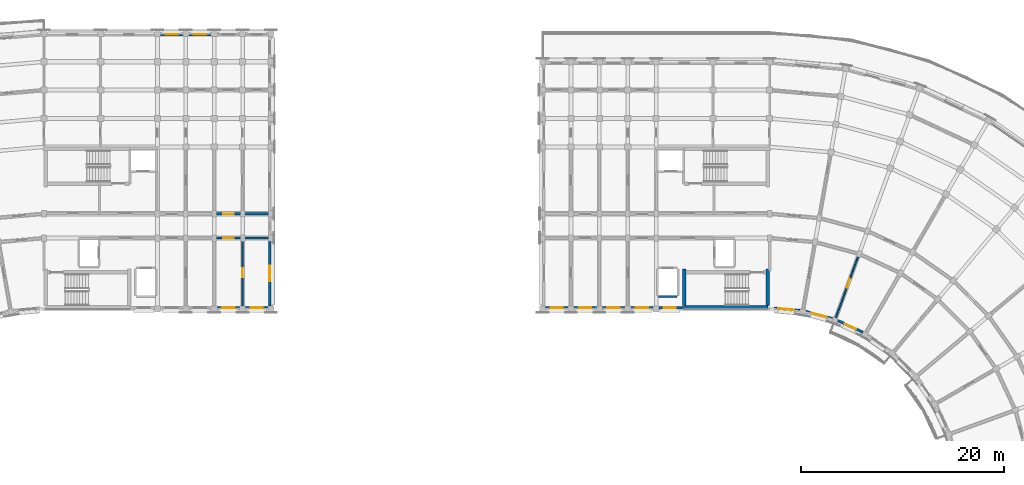
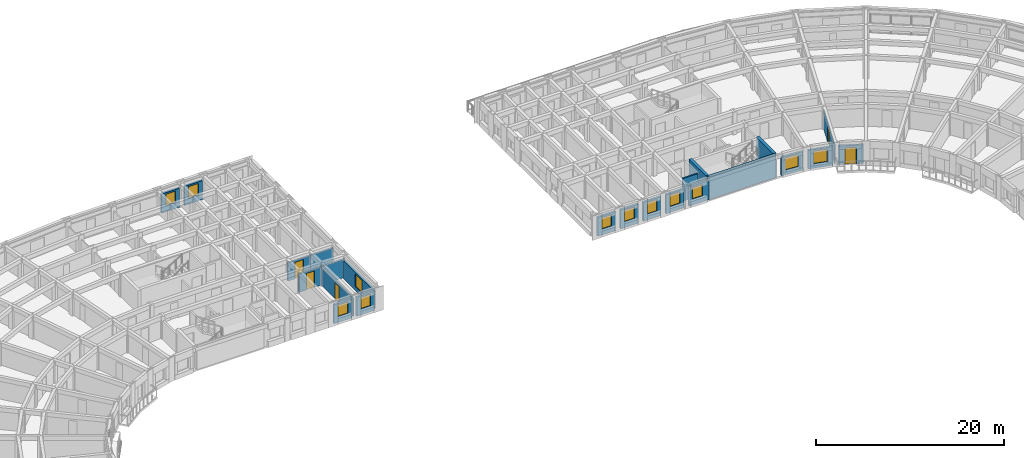
# One storey, part 27 of 53: 23 walls, 12 windows, 5 doors, 17 openings.
"""IFC4 building model written with IfcOpenShell, lengths in metres."""

from ifc_helpers import new_model, si_unit, direction, frame, frame_2d, origin, place, context, subcontext, project, spatial, rectangle, extrude, material, layer, layer_set, type_object, element, fill, save


model = new_model("IFC4")

# Units and contexts
model_context = context("Model", 3, precision=1e-05, world=origin(), true_north=direction((0.0, 1.0)))
body_context = subcontext(model_context, "Body", "Model", "MODEL_VIEW")
ifc_project = project(units=[si_unit("LENGTHUNIT", "METRE"), si_unit("AREAUNIT", "SQUARE_METRE"), si_unit("VOLUMEUNIT", "CUBIC_METRE"), si_unit("PLANEANGLEUNIT", "RADIAN"), si_unit("MASSUNIT", "GRAM", prefix="KILO")], contexts=[model_context])

# Site, building, storey
site_placement = place(None, origin())
site = spatial("IfcSite", under=ifc_project, at=site_placement, CompositionType="ELEMENT")
building_placement = place(site_placement, origin())
building = spatial("IfcBuilding", under=site, at=building_placement, Name="Kiranvali Square Residences", CompositionType="ELEMENT")
storey_placement = place(building_placement, frame((0.0, 0.0, 30.75)))
storey = spatial("IfcBuildingStorey", under=building, at=storey_placement, Name="L09", CompositionType="ELEMENT", Elevation=30.75)

# Wall, opening, door
ifc_material_1 = material(Name="Autoclaved aerated concrete blockwork masonry", Category="masonry")
ifc_layer_1 = layer(ifc_material_1, 0.199951171875)
ifc_layer_set_1 = layer_set([ifc_layer_1], Name="Autoclaved aerated concrete blockwork masonry")
wall_type_1 = type_object("IfcWallType", Name="WL-COR-200", PredefinedType="STANDARD", material=ifc_layer_set_1)
wall_1_placement = place(storey_placement, frame((65.0, 113.60009765625, 0.0), z_axis=(0.0, 0.0, 1.0), x_axis=(1.0, 0.0, 0.0)))
wall_1 = element("IfcWall", 1, at=wall_1_placement, inside=storey, type_object=wall_type_1, Name="L09 architectural wall WL-L09-A-A1CI-2", PredefinedType="STANDARD", context=body_context, shape_type="SweptSolid", body=[
    extrude(rectangle(XDim=2.800048828125, YDim=0.199951171875, at=frame_2d((1.39990234375, 0.0))), origin(), (0.0, 0.0, 1.0), 2.3720703125),
])
opening_1_placement = place(wall_1_placement, frame((0.89990234375, 0.0, 0.0)))
opening_1 = element("IfcOpeningElement", 2, at=opening_1_placement, cuts=wall_1, Name="Opening FD-APT-60", PredefinedType="OPENING", context=body_context, shape_type="SweptSolid", body=[
    extrude(rectangle(XDim=1.0, YDim=2.14990234375, at=frame_2d((0.5, 1.074951171875))), frame((0.0, 0.10986328125, 0.0), z_axis=(0.0, -1.0, 0.0), x_axis=(1.0, 0.0, 0.0)), (0.0, 0.0, 1.0), 0.219970703125),
])
ifc_material_2 = material(Name="Fire-rated acoustic hardwood and mineral-core door assembly", Category="wood")
door_type_1 = type_object("IfcDoorType", Name="DR-APT-1000", OperationType="NOTDEFINED", PredefinedType="DOOR", material=ifc_material_2)
door_1_placement = place(opening_1_placement, frame((1.0, 0.0, 0.0), z_axis=(0.0, 0.0, 1.0), x_axis=(-1.0, 0.0, 0.0)))
door_1 = element("IfcDoor", 3, at=door_1_placement, inside=storey, type_object=door_type_1, Name="L09 door DR-L09-0584 (DR-APT-1000)", OperationType="SINGLE_SWING_RIGHT", OverallHeight=2.14990234375, OverallWidth=1.0, PredefinedType="DOOR", context=body_context, shape_type="SweptSolid", body=[
    extrude(rectangle(XDim=1.0, YDim=2.14990234375, at=frame_2d((0.5, 1.074951171875))), frame((0.0, 0.02490234375, 0.0), z_axis=(0.0, -1.0, 0.0), x_axis=(1.0, 0.0, 0.0)), (0.0, 0.0, 1.0), 0.050048828125),
])
fill(opening_1, door_1)

wall_2_placement = place(storey_placement, frame((65.0, 116.0, 0.0), z_axis=(0.0, 0.0, 1.0), x_axis=(1.0, 0.0, 0.0)))
wall_2 = element("IfcWall", 4, at=wall_2_placement, inside=storey, type_object=wall_type_1, Name="L09 architectural wall WL-L09-A-A1CO-2", PredefinedType="STANDARD", context=body_context, shape_type="SweptSolid", body=[
    extrude(rectangle(XDim=2.800048828125, YDim=0.199951171875, at=frame_2d((1.39990234375, 0.0))), origin(), (0.0, 0.0, 1.0), 2.3720703125),
])
opening_2_placement = place(wall_2_placement, frame((0.89990234375, 0.0, 0.0)))
opening_2 = element("IfcOpeningElement", 5, at=opening_2_placement, cuts=wall_2, Name="Opening FD-APT-60", PredefinedType="OPENING", context=body_context, shape_type="SweptSolid", body=[
    extrude(rectangle(XDim=1.0, YDim=2.14990234375, at=frame_2d((0.5, 1.074951171875))), frame((0.0, 0.10986328125, 0.0), z_axis=(0.0, -1.0, 0.0), x_axis=(1.0, 0.0, 0.0)), (0.0, 0.0, 1.0), 0.219970703125),
])
door_2_placement = place(opening_2_placement, frame((1.0, 0.0, 0.0), z_axis=(0.0, 0.0, 1.0), x_axis=(-1.0, 0.0, 0.0)))
door_2 = element("IfcDoor", 6, at=door_2_placement, inside=storey, type_object=door_type_1, Name="L09 door DR-L09-0586 (DR-APT-1000)", OperationType="SINGLE_SWING_RIGHT", OverallHeight=2.14990234375, OverallWidth=1.0, PredefinedType="DOOR", context=body_context, shape_type="SweptSolid", body=[
    extrude(rectangle(XDim=1.0, YDim=2.14990234375, at=frame_2d((0.5, 1.074951171875))), frame((0.0, 0.02490234375, 0.0), z_axis=(0.0, -1.0, 0.0), x_axis=(1.0, 0.0, 0.0)), (0.0, 0.0, 1.0), 0.050048828125),
])
fill(opening_2, door_2)

# Walls
for number, where, z_axis, x_axis, name in (
    (7, (67.800048828125, 113.60009765625, 0.0), (0.0, 0.0, 1.0), (1.0, 0.0, 0.0), "L09 architectural wall WL-L09-A-A1CI-3"),
    (8, (67.800048828125, 116.0, 0.0), (0.0, 0.0, 1.0), (1.0, 0.0, 0.0), "L09 architectural wall WL-L09-A-A1CO-3"),
):
    element("IfcWall", number, at=place(storey_placement, frame(where, z_axis=z_axis, x_axis=x_axis)), inside=storey, type_object=wall_type_1, Name=name, PredefinedType="STANDARD", context=body_context, shape_type="SweptSolid", body=[
        extrude(rectangle(XDim=2.800048828125, YDim=0.199951171875, at=frame_2d((1.39990234375, 0.0))), origin(), (0.0, 0.0, 1.0), 2.3720703125),
    ])

# Wall, opening, window
ifc_material_3 = material(Name="Breathable lime-rendered clay brick masonry", Category="masonry")
ifc_layer_2 = layer(ifc_material_3, 0.25)
ifc_layer_set_2 = layer_set([ifc_layer_2], Name="Breathable lime-rendered clay brick masonry")
wall_type_2 = type_object("IfcWallType", Name="WL-EXT-250", PredefinedType="STANDARD", material=ifc_layer_set_2)
wall_3_placement = place(storey_placement, frame((59.70361328125, 133.675048828125, 0.0), z_axis=(0.0, 0.0, 1.0), x_axis=(1.0, 0.0, 0.0)))
wall_3 = element("IfcWall", 9, at=wall_3_placement, inside=storey, type_object=wall_type_2, Name="L09 exterior wall A-L09-A1O-2", PredefinedType="STANDARD", context=body_context, shape_type="SweptSolid", body=[
    extrude(rectangle(XDim=2.19287109375, YDim=0.25, at=frame_2d((1.096435546875, 0.0))), origin(), (0.0, 0.0, 1.0), 2.471923828125),
])
opening_3_placement = place(wall_3_placement, frame((0.49658203125, 0.0, 0.77197265625)))
opening_3 = element("IfcOpeningElement", 10, at=opening_3_placement, cuts=wall_3, Name="Opening W-06", PredefinedType="OPENING", context=body_context, shape_type="SweptSolid", body=[
    extrude(rectangle(XDim=1.199951171875, YDim=1.5, at=frame_2d((0.60009765625, 0.75))), frame((0.0, 0.135009765625, 0.0), z_axis=(0.0, -1.0, 0.0), x_axis=(1.0, 0.0, 0.0)), (0.0, 0.0, 1.0), 0.27001953125),
])
ifc_material_4 = material(Name="Solar-control low-e double glazing", Category="glass")
window_type_1 = type_object("IfcWindowType", Name="WIN-RES-1200x1500", PartitioningType="SINGLE_PANEL", PredefinedType="WINDOW", material=ifc_material_4)
window_1_placement = place(opening_3_placement, origin())
window_1 = element("IfcWindow", 11, at=window_1_placement, inside=storey, type_object=window_type_1, Name="L09 recessed window A-L09-A1O-2", OverallHeight=1.5, OverallWidth=1.199951171875, PartitioningType="SINGLE_PANEL", PredefinedType="WINDOW", context=body_context, shape_type="SweptSolid", body=[
    extrude(rectangle(XDim=1.199951171875, YDim=1.5, at=frame_2d((0.60009765625, 0.75))), frame((0.0, 0.030029296875, 0.0), z_axis=(0.0, -1.0, 0.0), x_axis=(1.0, 0.0, 0.0)), (0.0, 0.0, 1.0), 0.06005859375),
])
fill(opening_3, window_1)

wall_4_placement = place(storey_placement, frame((62.50341796875, 133.675048828125, 0.0), z_axis=(0.0, 0.0, 1.0), x_axis=(1.0, 0.0, 0.0)))
wall_4 = element("IfcWall", 12, at=wall_4_placement, inside=storey, type_object=wall_type_2, Name="L09 exterior wall A-L09-A1O-3", PredefinedType="STANDARD", context=body_context, shape_type="SweptSolid", body=[
    extrude(rectangle(XDim=2.193115234375, YDim=0.25, at=frame_2d((1.0966796875, 0.0))), origin(), (0.0, 0.0, 1.0), 2.471923828125),
])
opening_4_placement = place(wall_4_placement, frame((0.49658203125, 0.0, 0.77197265625)))
opening_4 = element("IfcOpeningElement", 13, at=opening_4_placement, cuts=wall_4, Name="Opening W-06", PredefinedType="OPENING", context=body_context, shape_type="SweptSolid", body=[
    extrude(rectangle(XDim=1.199951171875, YDim=1.5, at=frame_2d((0.60009765625, 0.75))), frame((0.0, 0.135009765625, 0.0), z_axis=(0.0, -1.0, 0.0), x_axis=(1.0, 0.0, 0.0)), (0.0, 0.0, 1.0), 0.27001953125),
])
window_2_placement = place(opening_4_placement, origin())
window_2 = element("IfcWindow", 14, at=window_2_placement, inside=storey, type_object=window_type_1, Name="L09 recessed window A-L09-A1O-3", OverallHeight=1.5, OverallWidth=1.199951171875, PartitioningType="SINGLE_PANEL", PredefinedType="WINDOW", context=body_context, shape_type="SweptSolid", body=[
    extrude(rectangle(XDim=1.199951171875, YDim=1.5, at=frame_2d((0.60009765625, 0.75))), frame((0.0, 0.030029296875, 0.0), z_axis=(0.0, -1.0, 0.0), x_axis=(1.0, 0.0, 0.0)), (0.0, 0.0, 1.0), 0.06005859375),
])
fill(opening_4, window_2)

wall_5_placement = place(storey_placement, frame((65.303466796875, 106.72509765625, 0.0), z_axis=(0.0, 0.0, 1.0), x_axis=(1.0, 0.0, 0.0)))
wall_5 = element("IfcWall", 15, at=wall_5_placement, inside=storey, type_object=wall_type_2, Name="L09 exterior wall A-L09-A1I-2", PredefinedType="STANDARD", context=body_context, shape_type="SweptSolid", body=[
    extrude(rectangle(XDim=2.193115234375, YDim=0.25, at=frame_2d((1.0966796875, 0.0))), origin(), (0.0, 0.0, 1.0), 2.471923828125),
])
opening_5_placement = place(wall_5_placement, frame((0.49658203125, 0.0, 0.77197265625)))
opening_5 = element("IfcOpeningElement", 16, at=opening_5_placement, cuts=wall_5, Name="Opening W-06", PredefinedType="OPENING", context=body_context, shape_type="SweptSolid", body=[
    extrude(rectangle(XDim=1.199951171875, YDim=1.5, at=frame_2d((0.60009765625, 0.75))), frame((0.0, 0.135009765625, 0.0), z_axis=(0.0, -1.0, 0.0), x_axis=(1.0, 0.0, 0.0)), (0.0, 0.0, 1.0), 0.27001953125),
])
window_3_placement = place(opening_5_placement, origin())
window_3 = element("IfcWindow", 17, at=window_3_placement, inside=storey, type_object=window_type_1, Name="L09 recessed window A-L09-A1I-2", OverallHeight=1.5, OverallWidth=1.199951171875, PartitioningType="SINGLE_PANEL", PredefinedType="WINDOW", context=body_context, shape_type="SweptSolid", body=[
    extrude(rectangle(XDim=1.199951171875, YDim=1.5, at=frame_2d((0.60009765625, 0.75))), frame((0.0, 0.030029296875, 0.0), z_axis=(0.0, -1.0, 0.0), x_axis=(1.0, 0.0, 0.0)), (0.0, 0.0, 1.0), 0.06005859375),
])
fill(opening_5, window_3)

wall_6_placement = place(storey_placement, frame((68.103515625, 106.72509765625, 0.0), z_axis=(0.0, 0.0, 1.0), x_axis=(1.0, 0.0, 0.0)))
wall_6 = element("IfcWall", 18, at=wall_6_placement, inside=storey, type_object=wall_type_2, Name="L09 exterior wall A-L09-A1I-3", PredefinedType="STANDARD", context=body_context, shape_type="SweptSolid", body=[
    extrude(rectangle(XDim=2.19287109375, YDim=0.25, at=frame_2d((1.096435546875, 0.0))), origin(), (0.0, 0.0, 1.0), 2.471923828125),
])
opening_6_placement = place(wall_6_placement, frame((0.49658203125, 0.0, 0.77197265625)))
opening_6 = element("IfcOpeningElement", 19, at=opening_6_placement, cuts=wall_6, Name="Opening W-06", PredefinedType="OPENING", context=body_context, shape_type="SweptSolid", body=[
    extrude(rectangle(XDim=1.199951171875, YDim=1.5, at=frame_2d((0.60009765625, 0.75))), frame((0.0, 0.135009765625, 0.0), z_axis=(0.0, -1.0, 0.0), x_axis=(1.0, 0.0, 0.0)), (0.0, 0.0, 1.0), 0.27001953125),
])
window_4_placement = place(opening_6_placement, origin())
window_4 = element("IfcWindow", 20, at=window_4_placement, inside=storey, type_object=window_type_1, Name="L09 recessed window A-L09-A1I-3", OverallHeight=1.5, OverallWidth=1.199951171875, PartitioningType="SINGLE_PANEL", PredefinedType="WINDOW", context=body_context, shape_type="SweptSolid", body=[
    extrude(rectangle(XDim=1.199951171875, YDim=1.5, at=frame_2d((0.60009765625, 0.75))), frame((0.0, 0.030029296875, 0.0), z_axis=(0.0, -1.0, 0.0), x_axis=(1.0, 0.0, 0.0)), (0.0, 0.0, 1.0), 0.06005859375),
])
fill(opening_6, window_4)

wall_7_placement = place(storey_placement, frame((70.47509765625, 106.903564453125, 0.0), z_axis=(0.0, 0.0, 1.0), x_axis=(0.0, 1.0, 0.0)))
wall_7 = element("IfcWall", 21, at=wall_7_placement, inside=storey, type_object=wall_type_2, Name="L09 exterior wall A-L09-A1END-0", PredefinedType="STANDARD", context=body_context, shape_type="SweptSolid", body=[
    extrude(rectangle(XDim=6.367919921875, YDim=0.25, at=frame_2d((3.18408203125, 0.0))), origin(), (0.0, 0.0, 1.0), 2.3720703125),
])
opening_7_placement = place(wall_7_placement, frame((2.446533203125, 0.0, 0.52197265625)))
opening_7 = element("IfcOpeningElement", 22, at=opening_7_placement, cuts=wall_7, Name="Opening W-05", PredefinedType="OPENING", context=body_context, shape_type="SweptSolid", body=[
    extrude(rectangle(XDim=1.5, YDim=1.64990234375, at=frame_2d((0.75, 0.824951171875))), frame((0.0, 0.135009765625, 0.0), z_axis=(0.0, -1.0, 0.0), x_axis=(1.0, 0.0, 0.0)), (0.0, 0.0, 1.0), 0.27001953125),
])
window_type_2 = type_object("IfcWindowType", Name="WIN-RES-1500x1650", PartitioningType="DOUBLE_PANEL_VERTICAL", PredefinedType="WINDOW", material=ifc_material_4)
window_5_placement = place(opening_7_placement, origin())
window_5 = element("IfcWindow", 23, at=window_5_placement, inside=storey, type_object=window_type_2, Name="L09 recessed window A-L09-A1END-0", OverallHeight=1.64990234375, OverallWidth=1.5, PartitioningType="DOUBLE_PANEL_VERTICAL", PredefinedType="WINDOW", context=body_context, shape_type="SweptSolid", body=[
    extrude(rectangle(XDim=1.5, YDim=1.64990234375, at=frame_2d((0.75, 0.824951171875))), frame((0.0, 0.030029296875, 0.0), z_axis=(0.0, -1.0, 0.0), x_axis=(1.0, 0.0, 0.0)), (0.0, 0.0, 1.0), 0.06005859375),
])
fill(opening_7, window_5)

wall_8_placement = place(storey_placement, frame((120.249267578125, 106.686279296875, 0.0), z_axis=(0.0, 0.0, 1.0), x_axis=(0.996188847542, -0.087222589008, 0.0)))
wall_8 = element("IfcWall", 24, at=wall_8_placement, inside=storey, type_object=wall_type_2, Name="L09 exterior wall B-L09-GDN-00", PredefinedType="STANDARD", context=body_context, shape_type="SweptSolid", body=[
    extrude(rectangle(XDim=2.558349609375, YDim=0.25, at=frame_2d((1.279296875, 0.0))), origin(), (0.0, 0.0, 1.0), 2.422119140625),
])
opening_8_placement = place(wall_8_placement, frame((0.423583984375, 0.0, 0.6220703125)))
opening_8 = element("IfcOpeningElement", 25, at=opening_8_placement, cuts=wall_8, Name="Opening W-18", PredefinedType="OPENING", context=body_context, shape_type="SweptSolid", body=[
    extrude(rectangle(XDim=1.550048828125, YDim=1.60009765625, at=frame_2d((0.77490234375, 0.800048828125))), frame((0.0, 0.135009765625, 0.0), z_axis=(0.0, -1.0, 0.0), x_axis=(1.0, 0.0, 0.0)), (0.0, 0.0, 1.0), 0.27001953125),
])
window_type_3 = type_object("IfcWindowType", Name="WIN-GDN-1550x1600", PartitioningType="DOUBLE_PANEL_VERTICAL", PredefinedType="WINDOW", material=ifc_material_4)
window_6_placement = place(opening_8_placement, origin())
window_6 = element("IfcWindow", 26, at=window_6_placement, inside=storey, type_object=window_type_3, Name="L09 recessed window B-L09-GDN-00", OverallHeight=1.60009765625, OverallWidth=1.550048828125, PartitioningType="DOUBLE_PANEL_VERTICAL", PredefinedType="WINDOW", context=body_context, shape_type="SweptSolid", body=[
    extrude(rectangle(XDim=1.550048828125, YDim=1.60009765625, at=frame_2d((0.77490234375, 0.800048828125))), frame((0.0, 0.030029296875, 0.0), z_axis=(0.0, -1.0, 0.0), x_axis=(1.0, 0.0, 0.0)), (0.0, 0.0, 1.0), 0.06005859375),
])
fill(opening_8, window_6)

wall_9_placement = place(storey_placement, frame((123.3662109375, 106.363037109375, 0.0), z_axis=(0.0, 0.0, 1.0), x_axis=(0.965928818058, -0.258807879411, 0.0)))
wall_9 = element("IfcWall", 27, at=wall_9_placement, inside=storey, type_object=wall_type_2, Name="L09 exterior wall B-L09-GDN-01", PredefinedType="STANDARD", context=body_context, shape_type="SweptSolid", body=[
    extrude(rectangle(XDim=2.7197265625, YDim=0.25, at=frame_2d((1.35986328125, 0.0))), origin(), (0.0, 0.0, 1.0), 2.422119140625),
])
opening_9_placement = place(wall_9_placement, frame((0.60986328125, 0.0, 0.572021484375)))
opening_9 = element("IfcOpeningElement", 28, at=opening_9_placement, cuts=wall_9, Name="Opening W-05", PredefinedType="OPENING", context=body_context, shape_type="SweptSolid", body=[
    extrude(rectangle(XDim=1.5, YDim=1.64990234375, at=frame_2d((0.75, 0.824951171875))), frame((0.0, 0.135009765625, 0.0), z_axis=(0.0, -1.0, 0.0), x_axis=(1.0, 0.0, 0.0)), (0.0, 0.0, 1.0), 0.27001953125),
])
window_7_placement = place(opening_9_placement, origin())
window_7 = element("IfcWindow", 29, at=window_7_placement, inside=storey, type_object=window_type_2, Name="L09 recessed window B-L09-GDN-01", OverallHeight=1.64990234375, OverallWidth=1.5, PartitioningType="DOUBLE_PANEL_VERTICAL", PredefinedType="WINDOW", context=body_context, shape_type="SweptSolid", body=[
    extrude(rectangle(XDim=1.5, YDim=1.64990234375, at=frame_2d((0.75, 0.824951171875))), frame((0.0, 0.030029296875, 0.0), z_axis=(0.0, -1.0, 0.0), x_axis=(1.0, 0.0, 0.0)), (0.0, 0.0, 1.0), 0.06005859375),
])
fill(opening_9, window_7)

# Wall, opening, door
wall_10_placement = place(storey_placement, frame((126.535400390625, 105.461669921875, 0.0), z_axis=(0.0, 0.0, 1.0), x_axis=(0.906302358412, -0.422629903269, 0.0)))
wall_10 = element("IfcWall", 30, at=wall_10_placement, inside=storey, type_object=wall_type_2, Name="L09 exterior wall B-L09-GDN-02", PredefinedType="STANDARD", context=body_context, shape_type="SweptSolid", body=[
    extrude(rectangle(XDim=2.7197265625, YDim=0.25, at=frame_2d((1.35986328125, 0.0))), origin(), (0.0, 0.0, 1.0), 2.422119140625),
])
opening_10_placement = place(wall_10_placement, frame((0.759765625, 0.0, 0.0)))
opening_10 = element("IfcOpeningElement", 31, at=opening_10_placement, cuts=wall_10, Name="Opening ED-BAL-1", PredefinedType="OPENING", context=body_context, shape_type="SweptSolid", body=[
    extrude(rectangle(XDim=1.199951171875, YDim=2.14990234375, at=frame_2d((0.60009765625, 1.074951171875))), frame((0.0, 0.135009765625, 0.0), z_axis=(0.0, -1.0, 0.0), x_axis=(1.0, 0.0, 0.0)), (0.0, 0.0, 1.0), 0.27001953125),
])
ifc_material_5 = material(Name="Anodised bronze aluminium framing", Category="aluminium")
door_type_2 = type_object("IfcDoorType", Name="DR-BAL-1200", OperationType="NOTDEFINED", PredefinedType="DOOR", material=ifc_material_5)
door_3_placement = place(opening_10_placement, frame((1.199951171875, 0.0, 0.0), z_axis=(0.0, 0.0, 1.0), x_axis=(-1.0, 0.0, 0.0)))
door_3 = element("IfcDoor", 32, at=door_3_placement, inside=storey, type_object=door_type_2, Name="L09 balcony terrace door", OperationType="SINGLE_SWING_RIGHT", OverallHeight=2.14990234375, OverallWidth=1.199951171875, PredefinedType="DOOR", context=body_context, shape_type="SweptSolid", body=[
    extrude(rectangle(XDim=1.199951171875, YDim=2.14990234375, at=frame_2d((0.60009765625, 1.074951171875))), frame((0.0, 0.02490234375, 0.0), z_axis=(0.0, -1.0, 0.0), x_axis=(1.0, 0.0, 0.0)), (0.0, 0.0, 1.0), 0.050048828125),
])
fill(opening_10, door_3)

# Wall, opening, window
wall_11_placement = place(storey_placement, frame((111.37158203125, 106.72509765625, 0.0), z_axis=(0.0, 0.0, 1.0), x_axis=(-1.0, 0.0, 0.0)))
wall_11 = element("IfcWall", 33, at=wall_11_placement, inside=storey, type_object=wall_type_2, Name="L09 exterior wall B-L09-A1IN-0", PredefinedType="STANDARD", context=body_context, shape_type="SweptSolid", body=[
    extrude(rectangle(XDim=2.468017578125, YDim=0.25, at=frame_2d((1.23388671875, 0.0))), origin(), (0.0, 0.0, 1.0), 2.471923828125),
])
opening_11_placement = place(wall_11_placement, frame((0.821533203125, 0.0, 0.77197265625)))
opening_11 = element("IfcOpeningElement", 34, at=opening_11_placement, cuts=wall_11, Name="Opening W-06", PredefinedType="OPENING", context=body_context, shape_type="SweptSolid", body=[
    extrude(rectangle(XDim=1.199951171875, YDim=1.5, at=frame_2d((0.60009765625, 0.75))), frame((0.0, 0.135009765625, 0.0), z_axis=(0.0, -1.0, 0.0), x_axis=(1.0, 0.0, 0.0)), (0.0, 0.0, 1.0), 0.27001953125),
])
window_8_placement = place(opening_11_placement, origin())
window_8 = element("IfcWindow", 35, at=window_8_placement, inside=storey, type_object=window_type_1, Name="L09 recessed window B-L09-A1IN-0", OverallHeight=1.5, OverallWidth=1.199951171875, PartitioningType="SINGLE_PANEL", PredefinedType="WINDOW", context=body_context, shape_type="SweptSolid", body=[
    extrude(rectangle(XDim=1.199951171875, YDim=1.5, at=frame_2d((0.60009765625, 0.75))), frame((0.0, 0.030029296875, 0.0), z_axis=(0.0, -1.0, 0.0), x_axis=(1.0, 0.0, 0.0)), (0.0, 0.0, 1.0), 0.06005859375),
])
fill(opening_11, window_8)

wall_12_placement = place(storey_placement, frame((108.29638671875, 106.72509765625, 0.0), z_axis=(0.0, 0.0, 1.0), x_axis=(-1.0, 0.0, 0.0)))
wall_12 = element("IfcWall", 36, at=wall_12_placement, inside=storey, type_object=wall_type_2, Name="L09 exterior wall B-L09-A1I-0", PredefinedType="STANDARD", context=body_context, shape_type="SweptSolid", body=[
    extrude(rectangle(XDim=2.19287109375, YDim=0.25, at=frame_2d((1.096435546875, 0.0))), origin(), (0.0, 0.0, 1.0), 2.471923828125),
])
opening_12_placement = place(wall_12_placement, frame((0.49658203125, 0.0, 0.77197265625)))
opening_12 = element("IfcOpeningElement", 37, at=opening_12_placement, cuts=wall_12, Name="Opening W-06", PredefinedType="OPENING", context=body_context, shape_type="SweptSolid", body=[
    extrude(rectangle(XDim=1.199951171875, YDim=1.5, at=frame_2d((0.60009765625, 0.75))), frame((0.0, 0.135009765625, 0.0), z_axis=(0.0, -1.0, 0.0), x_axis=(1.0, 0.0, 0.0)), (0.0, 0.0, 1.0), 0.27001953125),
])
window_9_placement = place(opening_12_placement, origin())
window_9 = element("IfcWindow", 38, at=window_9_placement, inside=storey, type_object=window_type_1, Name="L09 recessed window B-L09-A1I-0", OverallHeight=1.5, OverallWidth=1.199951171875, PartitioningType="SINGLE_PANEL", PredefinedType="WINDOW", context=body_context, shape_type="SweptSolid", body=[
    extrude(rectangle(XDim=1.199951171875, YDim=1.5, at=frame_2d((0.60009765625, 0.75))), frame((0.0, 0.030029296875, 0.0), z_axis=(0.0, -1.0, 0.0), x_axis=(1.0, 0.0, 0.0)), (0.0, 0.0, 1.0), 0.06005859375),
])
fill(opening_12, window_9)

wall_13_placement = place(storey_placement, frame((105.49658203125, 106.72509765625, 0.0), z_axis=(0.0, 0.0, 1.0), x_axis=(-1.0, 0.0, 0.0)))
wall_13 = element("IfcWall", 39, at=wall_13_placement, inside=storey, type_object=wall_type_2, Name="L09 exterior wall B-L09-A1I-1", PredefinedType="STANDARD", context=body_context, shape_type="SweptSolid", body=[
    extrude(rectangle(XDim=2.193115234375, YDim=0.25, at=frame_2d((1.0966796875, 0.0))), origin(), (0.0, 0.0, 1.0), 2.471923828125),
])
opening_13_placement = place(wall_13_placement, frame((0.49658203125, 0.0, 0.77197265625)))
opening_13 = element("IfcOpeningElement", 40, at=opening_13_placement, cuts=wall_13, Name="Opening W-06", PredefinedType="OPENING", context=body_context, shape_type="SweptSolid", body=[
    extrude(rectangle(XDim=1.199951171875, YDim=1.5, at=frame_2d((0.60009765625, 0.75))), frame((0.0, 0.135009765625, 0.0), z_axis=(0.0, -1.0, 0.0), x_axis=(1.0, 0.0, 0.0)), (0.0, 0.0, 1.0), 0.27001953125),
])
window_10_placement = place(opening_13_placement, origin())
window_10 = element("IfcWindow", 41, at=window_10_placement, inside=storey, type_object=window_type_1, Name="L09 recessed window B-L09-A1I-1", OverallHeight=1.5, OverallWidth=1.199951171875, PartitioningType="SINGLE_PANEL", PredefinedType="WINDOW", context=body_context, shape_type="SweptSolid", body=[
    extrude(rectangle(XDim=1.199951171875, YDim=1.5, at=frame_2d((0.60009765625, 0.75))), frame((0.0, 0.030029296875, 0.0), z_axis=(0.0, -1.0, 0.0), x_axis=(1.0, 0.0, 0.0)), (0.0, 0.0, 1.0), 0.06005859375),
])
fill(opening_13, window_10)

wall_14_placement = place(storey_placement, frame((102.696533203125, 106.72509765625, 0.0), z_axis=(0.0, 0.0, 1.0), x_axis=(-1.0, 0.0, 0.0)))
wall_14 = element("IfcWall", 42, at=wall_14_placement, inside=storey, type_object=wall_type_2, Name="L09 exterior wall B-L09-A1I-2", PredefinedType="STANDARD", context=body_context, shape_type="SweptSolid", body=[
    extrude(rectangle(XDim=2.193115234375, YDim=0.25, at=frame_2d((1.0966796875, 0.0))), origin(), (0.0, 0.0, 1.0), 2.471923828125),
])
opening_14_placement = place(wall_14_placement, frame((0.49658203125, 0.0, 0.77197265625)))
opening_14 = element("IfcOpeningElement", 43, at=opening_14_placement, cuts=wall_14, Name="Opening W-06", PredefinedType="OPENING", context=body_context, shape_type="SweptSolid", body=[
    extrude(rectangle(XDim=1.199951171875, YDim=1.5, at=frame_2d((0.60009765625, 0.75))), frame((0.0, 0.135009765625, 0.0), z_axis=(0.0, -1.0, 0.0), x_axis=(1.0, 0.0, 0.0)), (0.0, 0.0, 1.0), 0.27001953125),
])
window_11_placement = place(opening_14_placement, origin())
window_11 = element("IfcWindow", 44, at=window_11_placement, inside=storey, type_object=window_type_1, Name="L09 recessed window B-L09-A1I-2", OverallHeight=1.5, OverallWidth=1.199951171875, PartitioningType="SINGLE_PANEL", PredefinedType="WINDOW", context=body_context, shape_type="SweptSolid", body=[
    extrude(rectangle(XDim=1.199951171875, YDim=1.5, at=frame_2d((0.60009765625, 0.75))), frame((0.0, 0.030029296875, 0.0), z_axis=(0.0, -1.0, 0.0), x_axis=(1.0, 0.0, 0.0)), (0.0, 0.0, 1.0), 0.06005859375),
])
fill(opening_14, window_11)

wall_15_placement = place(storey_placement, frame((99.896484375, 106.72509765625, 0.0), z_axis=(0.0, 0.0, 1.0), x_axis=(-1.0, 0.0, 0.0)))
wall_15 = element("IfcWall", 45, at=wall_15_placement, inside=storey, type_object=wall_type_2, Name="L09 exterior wall B-L09-A1I-3", PredefinedType="STANDARD", context=body_context, shape_type="SweptSolid", body=[
    extrude(rectangle(XDim=2.19287109375, YDim=0.25, at=frame_2d((1.096435546875, 0.0))), origin(), (0.0, 0.0, 1.0), 2.471923828125),
])
opening_15_placement = place(wall_15_placement, frame((0.49658203125, 0.0, 0.77197265625)))
opening_15 = element("IfcOpeningElement", 46, at=opening_15_placement, cuts=wall_15, Name="Opening W-06", PredefinedType="OPENING", context=body_context, shape_type="SweptSolid", body=[
    extrude(rectangle(XDim=1.199951171875, YDim=1.5, at=frame_2d((0.60009765625, 0.75))), frame((0.0, 0.135009765625, 0.0), z_axis=(0.0, -1.0, 0.0), x_axis=(1.0, 0.0, 0.0)), (0.0, 0.0, 1.0), 0.27001953125),
])
window_12_placement = place(opening_15_placement, origin())
window_12 = element("IfcWindow", 47, at=window_12_placement, inside=storey, type_object=window_type_1, Name="L09 recessed window B-L09-A1I-3", OverallHeight=1.5, OverallWidth=1.199951171875, PartitioningType="SINGLE_PANEL", PredefinedType="WINDOW", context=body_context, shape_type="SweptSolid", body=[
    extrude(rectangle(XDim=1.199951171875, YDim=1.5, at=frame_2d((0.60009765625, 0.75))), frame((0.0, 0.030029296875, 0.0), z_axis=(0.0, -1.0, 0.0), x_axis=(1.0, 0.0, 0.0)), (0.0, 0.0, 1.0), 0.06005859375),
])
fill(opening_15, window_12)

# Wall, opening, door
ifc_material_6 = material(Name="Acoustic gypsum board drylined partition", Category="gypsum")
ifc_layer_3 = layer(ifc_material_6, 0.14990234375)
ifc_layer_set_3 = layer_set([ifc_layer_3], Name="Acoustic gypsum board drylined partition")
wall_type_3 = type_object("IfcWallType", Name="WL-PRT-150", PredefinedType="PARTITIONING", material=ifc_layer_set_3)
wall_16_placement = place(storey_placement, frame((67.800048828125, 106.800048828125, 0.0), z_axis=(0.0, 0.0, 1.0), x_axis=(0.0, 1.0, 0.0)))
wall_16 = element("IfcWall", 48, at=wall_16_placement, inside=storey, type_object=wall_type_3, Name="L09 architectural wall WL-L09-A-A1TI-3", PredefinedType="PARTITIONING", context=body_context, shape_type="SweptSolid", body=[
    extrude(rectangle(XDim=6.75, YDim=0.14990234375, at=frame_2d((3.375, 0.0))), origin(), (0.0, 0.0, 1.0), 2.3720703125),
])
opening_16_placement = place(wall_16_placement, frame((2.925048828125, 0.0, 0.0)))
opening_16 = element("IfcOpeningElement", 49, at=opening_16_placement, cuts=wall_16, Name="Opening ID-1", PredefinedType="OPENING", context=body_context, shape_type="SweptSolid", body=[
    extrude(rectangle(XDim=0.89990234375, YDim=2.10009765625, at=frame_2d((0.449951171875, 1.050048828125))), frame((0.0, 0.0849609375, 0.0), z_axis=(0.0, -1.0, 0.0), x_axis=(1.0, 0.0, 0.0)), (0.0, 0.0, 1.0), 0.169921875),
])
ifc_material_7 = material(Name="Solid seasoned teak hardwood joinery", Category="wood")
door_type_3 = type_object("IfcDoorType", Name="DR-INT-900", OperationType="NOTDEFINED", PredefinedType="DOOR", material=ifc_material_7)
door_4_placement = place(opening_16_placement, frame((0.89990234375, 0.0, 0.0), z_axis=(0.0, 0.0, 1.0), x_axis=(-1.0, 0.0, 0.0)))
door_4 = element("IfcDoor", 50, at=door_4_placement, inside=storey, type_object=door_type_3, Name="L09 door DR-L09-0592 (DR-INT-900)", OperationType="SINGLE_SWING_RIGHT", OverallHeight=2.10009765625, OverallWidth=0.89990234375, PredefinedType="DOOR", context=body_context, shape_type="SweptSolid", body=[
    extrude(rectangle(XDim=0.89990234375, YDim=2.10009765625, at=frame_2d((0.449951171875, 1.050048828125))), frame((0.0, 0.02490234375, 0.0), z_axis=(0.0, -1.0, 0.0), x_axis=(1.0, 0.0, 0.0)), (0.0, 0.0, 1.0), 0.050048828125),
])
fill(opening_16, door_4)

wall_17_placement = place(storey_placement, frame((126.29833984375, 105.654052734375, 0.0), z_axis=(0.0, 0.0, 1.0), x_axis=(0.342010221662, 0.939696231917, 0.0)))
wall_17 = element("IfcWall", 51, at=wall_17_placement, inside=storey, type_object=wall_type_3, Name="L09 architectural wall WL-L09-B-RADI-2", PredefinedType="PARTITIONING", context=body_context, shape_type="SweptSolid", body=[
    extrude(rectangle(XDim=6.75, YDim=0.14990234375, at=frame_2d((3.375, 0.0))), origin(), (0.0, 0.0, 1.0), 2.3720703125),
])
opening_17_placement = place(wall_17_placement, frame((3.262451171875, 0.0, 0.0)))
opening_17 = element("IfcOpeningElement", 52, at=opening_17_placement, cuts=wall_17, Name="Opening ID-1", PredefinedType="OPENING", context=body_context, shape_type="SweptSolid", body=[
    extrude(rectangle(XDim=0.89990234375, YDim=2.10009765625, at=frame_2d((0.449951171875, 1.050048828125))), frame((0.0, 0.0849609375, 0.0), z_axis=(0.0, -1.0, 0.0), x_axis=(1.0, 0.0, 0.0)), (0.0, 0.0, 1.0), 0.169921875),
])
door_5_placement = place(opening_17_placement, origin())
door_5 = element("IfcDoor", 53, at=door_5_placement, inside=storey, type_object=door_type_3, Name="L09 door DR-L09-1543 (DR-INT-900)", OperationType="SINGLE_SWING_LEFT", OverallHeight=2.10009765625, OverallWidth=0.89990234375, PredefinedType="DOOR", context=body_context, shape_type="SweptSolid", body=[
    extrude(rectangle(XDim=0.89990234375, YDim=2.10009765625, at=frame_2d((0.449951171875, 1.050048828125))), frame((0.0, 0.02490234375, 0.0), z_axis=(0.0, -1.0, 0.0), x_axis=(1.0, 0.0, 0.0)), (0.0, 0.0, 1.0), 0.050048828125),
])
fill(opening_17, door_5)

# Walls
ifc_layer_4 = layer(ifc_material_1, 0.199951171875)
ifc_layer_set_4 = layer_set([ifc_layer_4], Name="Autoclaved aerated concrete blockwork masonry")
wall_type_4 = type_object("IfcWallType", Name="WL-SHF-200", PredefinedType="STANDARD", material=ifc_layer_set_4)
wall_18_placement = place(storey_placement, frame((110.64990234375, 107.85009765625, 0.0), z_axis=(0.0, 0.0, 1.0), x_axis=(-1.0, 0.0, 0.0)))
element("IfcWall", 54, at=wall_18_placement, inside=storey, type_object=wall_type_4, Name="L09 architectural wall WL-L09-B-LP1-S2", PredefinedType="STANDARD", context=body_context, shape_type="SweptSolid", body=[
    extrude(rectangle(XDim=1.7998046875, YDim=0.199951171875, at=frame_2d((0.89990234375, 0.0))), origin(), (0.0, 0.0, 1.0), 2.929931640625),
])
ifc_material_8 = material(Name="Concrete M45 (45 MPa)", Category="concrete")
ifc_layer_5 = layer(ifc_material_8, 0.320068359375)
ifc_layer_set_5 = layer_set([ifc_layer_5], Name="Concrete M45 (45 MPa)")
wall_type_5 = type_object("IfcWallType", Name="WL-SHR-320", PredefinedType="SHEAR", material=ifc_layer_set_5)
wall_19_placement = place(storey_placement, frame((119.625, 106.77490234375, 0.0), z_axis=(0.0, 0.0, 1.0), x_axis=(-1.0, 0.0, 0.0)))
element("IfcWall", 55, at=wall_19_placement, inside=storey, type_object=wall_type_5, Name="Block B core shear wall SW-B2-OUT-L09", PredefinedType="SHEAR", context=body_context, shape_type="SweptSolid", body=[
    extrude(rectangle(XDim=8.25, YDim=0.35009765625, at=frame_2d((4.125, 0.0))), origin(), (0.0, 0.0, 1.0), 2.929931640625),
])
for number, where, z_axis, x_axis, name in (
    (56, (119.625, 106.949951171875, 0.0), (0.0, 0.0, 1.0), (0.0, 1.0, 0.0), "Block B core shear wall SW-B2-NEAR-L09"),
    (57, (111.375, 106.949951171875, 0.0), (0.0, 0.0, 1.0), (0.0, 1.0, 0.0), "Block B core shear wall SW-B2-FAR-L09"),
):
    element("IfcWall", number, at=place(storey_placement, frame(where, z_axis=z_axis, x_axis=x_axis)), inside=storey, type_object=wall_type_5, Name=name, PredefinedType="SHEAR", context=body_context, shape_type="SweptSolid", body=[
        extrude(rectangle(XDim=3.60009765625, YDim=0.35009765625, at=frame_2d((1.800048828125, 0.0))), origin(), (0.0, 0.0, 1.0), 2.929931640625),
    ])

save(model, "model.ifc")
